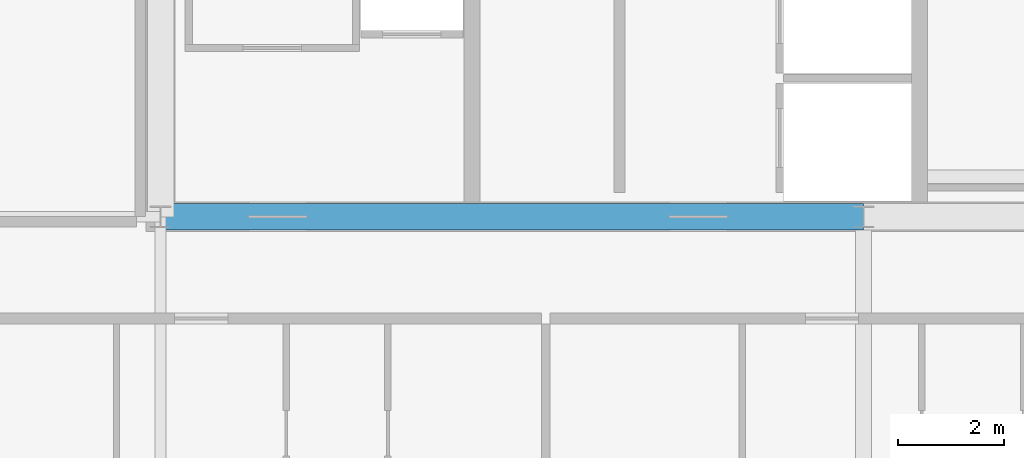
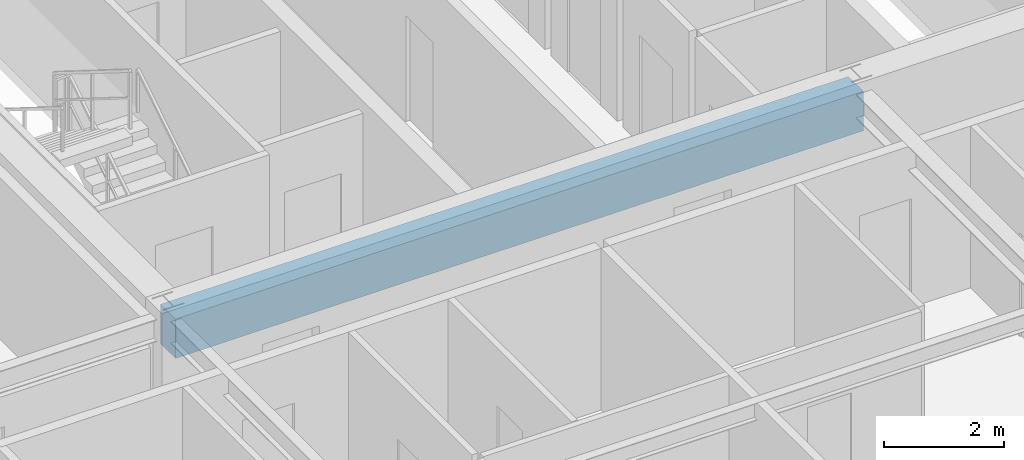
# One storey, part 8 of 37: 1 beam.
"""IFC4 building model written with IfcOpenShell, lengths in metres."""

from ifc_helpers import new_model, si_unit, direction, frame, origin, origin_2d, place, context, subcontext, project, spatial, rectangle, extrude, source, transform, mapped, material, material_profile, profile_set, type_object, element, save


model = new_model("IFC4")

# Units and contexts
model_context = context("Model", 3, precision=1e-05, world=origin(), true_north=direction((0.0, 1.0)))
body_context = subcontext(model_context, "Body", "Model", "MODEL_VIEW")
ifc_project = project(units=[si_unit("LENGTHUNIT", "METRE"), si_unit("AREAUNIT", "SQUARE_METRE"), si_unit("VOLUMEUNIT", "CUBIC_METRE"), si_unit("PLANEANGLEUNIT", "RADIAN"), si_unit("MASSUNIT", "GRAM", prefix="KILO"), si_unit("THERMODYNAMICTEMPERATUREUNIT", "KELVIN"), si_unit("POWERUNIT", "WATT")], contexts=[model_context])

# Site, building, storey
site_placement = place(None, origin())
site = spatial("IfcSite", under=ifc_project, at=site_placement, CompositionType="ELEMENT")
building_placement = place(site_placement, origin())
building = spatial("IfcBuilding", under=site, at=building_placement, Name="Yuzanri Waterfront Tower", CompositionType="ELEMENT")
storey_placement = place(building_placement, frame((0.0, 0.0, 252.10009765625)))
storey = spatial("IfcBuildingStorey", under=building, at=storey_placement, Name="L67", CompositionType="ELEMENT", Elevation=252.10009765625)

# Beam
ifc_material = material(Name="Concrete C50", Category="concrete")
ifc_material_profile = material_profile(ifc_material, rectangle(XDim=0.5, YDim=0.800048828125, at=origin_2d()), Name="RC 500x800")
ifc_profile_set = profile_set([ifc_material_profile], Name="Concrete C50")
beam_type = type_object("IfcBeamType", Name="Core Coupling Lintel Concrete C50 500x800", PredefinedType="LINTEL", material=ifc_profile_set)
shared_shape = source(origin(), body_context, "Body", "SweptSolid", [
    extrude(rectangle(XDim=0.5, YDim=0.800048828125, at=origin_2d()), origin(), (0.0, 0.0, 1.0), 13.199951171875),
])
beam_placement = place(storey_placement, frame((23.800048828125, 19.39990234375, 2.8798828125), z_axis=(1.0, 0.0, 0.0), x_axis=(0.0, 1.0, 0.0)))
element("IfcBeam", 1, at=beam_placement, inside=storey, type_object=beam_type, Name="L67 Core Tie Beam CS1", PredefinedType="LINTEL", context=body_context, shape_type="MappedRepresentation", body=[
    mapped(shared_shape, transform((0.0, 0.0, 0.0), scale=1.0)),
])

save(model, "model.ifc")
